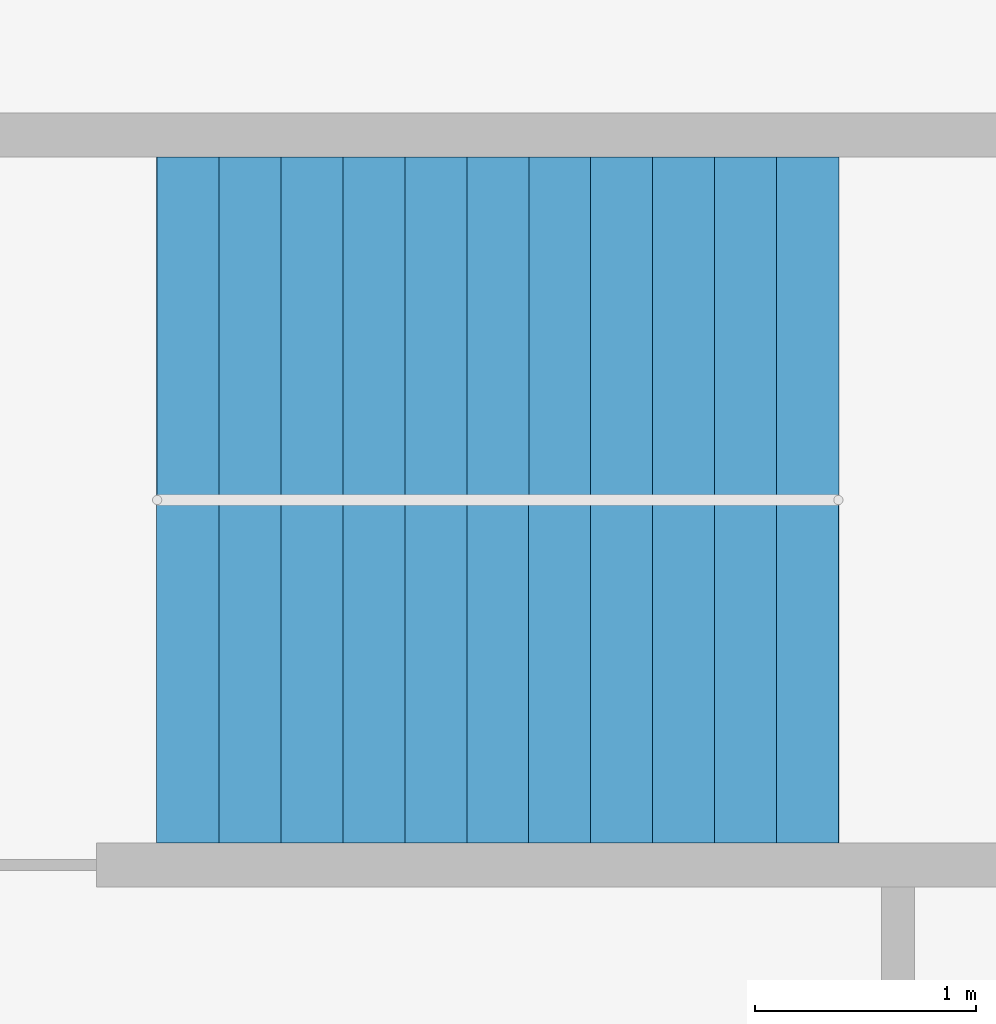
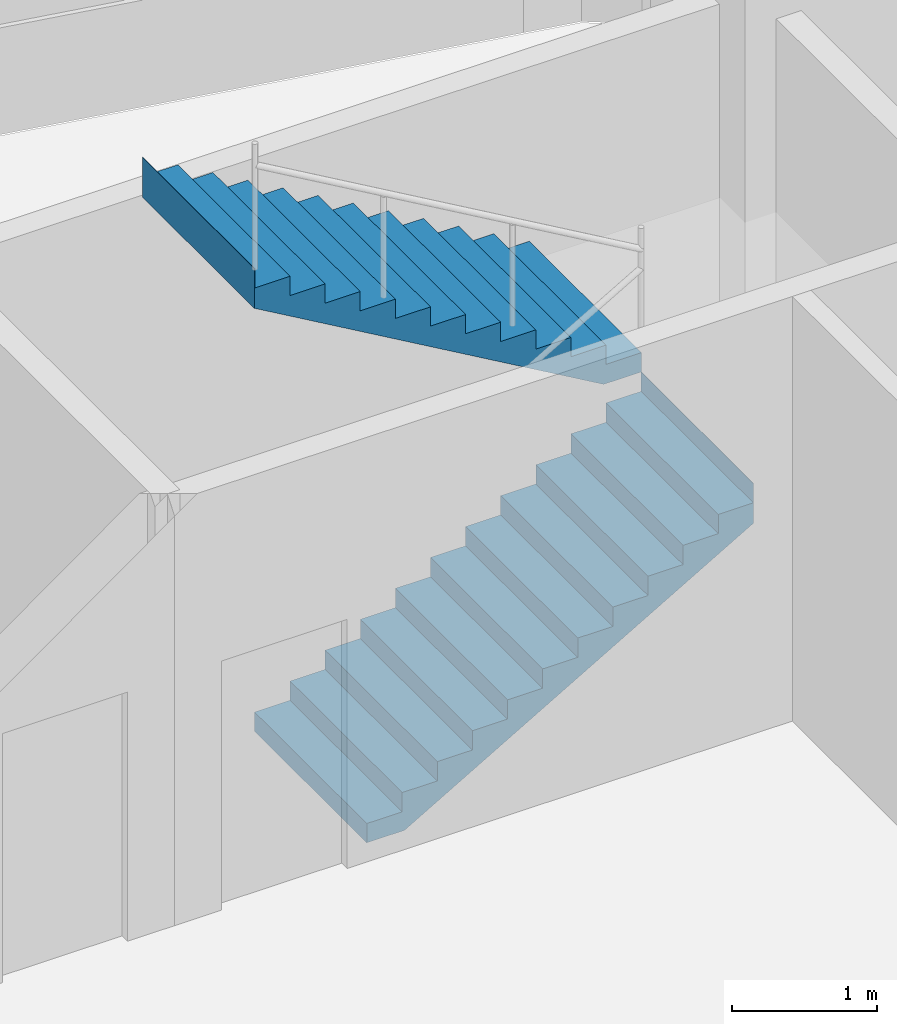
# One storey, part 7 of 9: 2 stair flights, 1 element without a shape of its own.
"""IFC4 building model written with IfcOpenShell, lengths in metres."""

from ifc_helpers import new_model, si_unit, direction, frame, origin, place, context, subcontext, project, spatial, polyline, outline, extrude, material, type_object, element, aggregate, save


model = new_model("IFC4")

# Units and contexts
model_context = context("Model", 3, precision=1e-05, world=origin(), true_north=direction((0.0, 1.0)))
body_context = subcontext(model_context, "Body", "Model", "MODEL_VIEW")
ifc_project = project(units=[si_unit("LENGTHUNIT", "METRE"), si_unit("AREAUNIT", "SQUARE_METRE"), si_unit("VOLUMEUNIT", "CUBIC_METRE"), si_unit("PLANEANGLEUNIT", "RADIAN"), si_unit("MASSUNIT", "GRAM", prefix="KILO")], contexts=[model_context])

# Site, building, storey
site_placement = place(None, origin())
site = spatial("IfcSite", under=ifc_project, at=site_placement, CompositionType="ELEMENT")
building_placement = place(site_placement, origin())
building = spatial("IfcBuilding", under=site, at=building_placement, Name="Qaws Garden Tower", CompositionType="ELEMENT")
storey_placement = place(building_placement, frame((0.0, 0.0, 217.5)))
storey = spatial("IfcBuildingStorey", under=building, at=storey_placement, Name="L53", CompositionType="ELEMENT", Elevation=217.5)

# Stair, stair flights
ifc_material_1 = material(Name="Concrete C40", Category="concrete")
stair_type = type_object("IfcStairType", Name="Exit stair 1350", PredefinedType="HALF_TURN_STAIR", material=ifc_material_1)
stair_placement = place(storey_placement, origin())
stair = element("IfcStair", 1, at=stair_placement, inside=storey, type_object=stair_type, Name="Stair 7", PredefinedType="HALF_TURN_STAIR")
ifc_material_2 = material(Name="Concrete C40", Category="concrete")
stair_flight_type = type_object("IfcStairFlightType", Name="Stair flight 1350", PredefinedType="STRAIGHT", material=ifc_material_2)
stair_flight_1_placement = place(storey_placement, frame((14.75, 67.375, 0.0), z_axis=(0.0, 0.0, 1.0), x_axis=(1.0, 0.0, 0.0)))
stair_flight_1 = element("IfcStairFlight", 2, at=stair_flight_1_placement, type_object=stair_flight_type, Name="ST7 flight 1", NumberOfRisers=12, NumberOfTreads=11, PredefinedType="STRAIGHT", RiserHeight=0.1625, TreadLength=0.28, context=body_context, shape_type="SweptSolid", body=[
    extrude(outline(polyline([(-0.0029296875, 0.0), (-0.0029296875, 0.16259765625), (0.0, 0.16259765625), (0.280029296875, 0.16259765625), (0.280029296875, 0.324951171875), (0.56005859375, 0.324951171875), (0.56005859375, 0.487548828125), (0.840087890625, 0.487548828125), (0.840087890625, 0.64990234375), (1.1201171875, 0.64990234375), (1.1201171875, 0.8125), (1.39990234375, 0.8125), (1.39990234375, 0.97509765625), (1.679931640625, 0.97509765625), (1.679931640625, 1.137451171875), (1.9599609375, 1.137451171875), (1.9599609375, 1.300048828125), (2.239990234375, 1.300048828125), (2.239990234375, 1.46240234375), (2.52001953125, 1.46240234375), (2.52001953125, 1.625), (2.800048828125, 1.625), (2.800048828125, 1.78759765625), (3.080078125, 1.78759765625), (3.080078125, 1.949951171875), (3.0830078125, 1.949951171875), (3.0830078125, 1.6142578125), (3.080078125, 1.6142578125), (0.298583984375, 0.0), (-0.0029296875, 0.0)])), frame((0.0, 0.77490234375, 0.0), z_axis=(0.0, -1.0, 0.0), x_axis=(1.0, 0.0, 0.0)), (0.0, 0.0, 1.0), 1.550048828125),
])
stair_flight_2_placement = place(storey_placement, frame((17.830078125, 68.925048828125, 1.949951171875), z_axis=(0.0, 0.0, 1.0), x_axis=(-1.0, 0.0, 0.0)))
stair_flight_2 = element("IfcStairFlight", 3, at=stair_flight_2_placement, type_object=stair_flight_type, Name="ST7 flight 2", NumberOfRisers=12, NumberOfTreads=11, PredefinedType="STRAIGHT", RiserHeight=0.1625, TreadLength=0.28, context=body_context, shape_type="SweptSolid", body=[
    extrude(outline(polyline([(-0.0029296875, 0.0), (-0.0029296875, 0.16259765625), (0.0, 0.16259765625), (0.280029296875, 0.16259765625), (0.280029296875, 0.324951171875), (0.56005859375, 0.324951171875), (0.56005859375, 0.487548828125), (0.840087890625, 0.487548828125), (0.840087890625, 0.64990234375), (1.1201171875, 0.64990234375), (1.1201171875, 0.8125), (1.39990234375, 0.8125), (1.39990234375, 0.97509765625), (1.679931640625, 0.97509765625), (1.679931640625, 1.137451171875), (1.9599609375, 1.137451171875), (1.9599609375, 1.300048828125), (2.239990234375, 1.300048828125), (2.239990234375, 1.46240234375), (2.52001953125, 1.46240234375), (2.52001953125, 1.625), (2.800048828125, 1.625), (2.800048828125, 1.78759765625), (3.080078125, 1.78759765625), (3.080078125, 1.949951171875), (3.0830078125, 1.949951171875), (3.0830078125, 1.6142578125), (3.080078125, 1.6142578125), (0.298583984375, 0.0), (-0.0029296875, 0.0)])), frame((0.0, 0.77490234375, 0.0), z_axis=(0.0, -1.0, 0.0), x_axis=(1.0, 0.0, 0.0)), (0.0, 0.0, 1.0), 1.550048828125),
])
aggregate(stair, [stair_flight_1, stair_flight_2])

save(model, "model.ifc")
